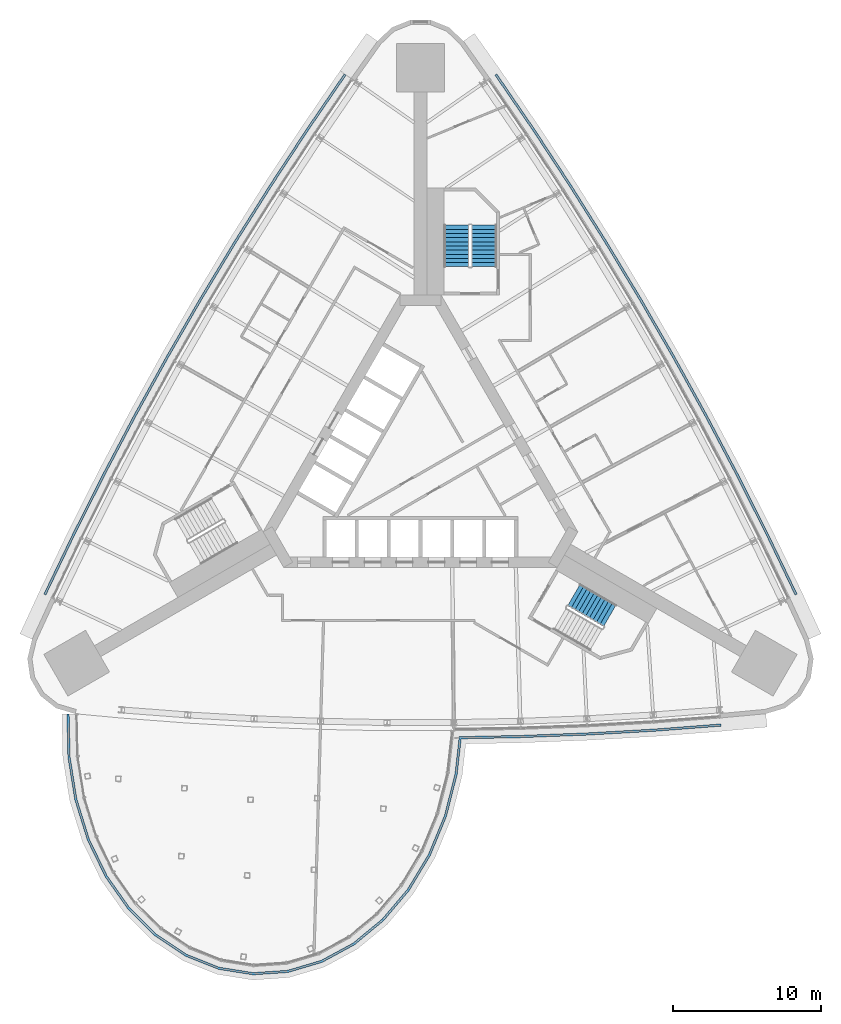
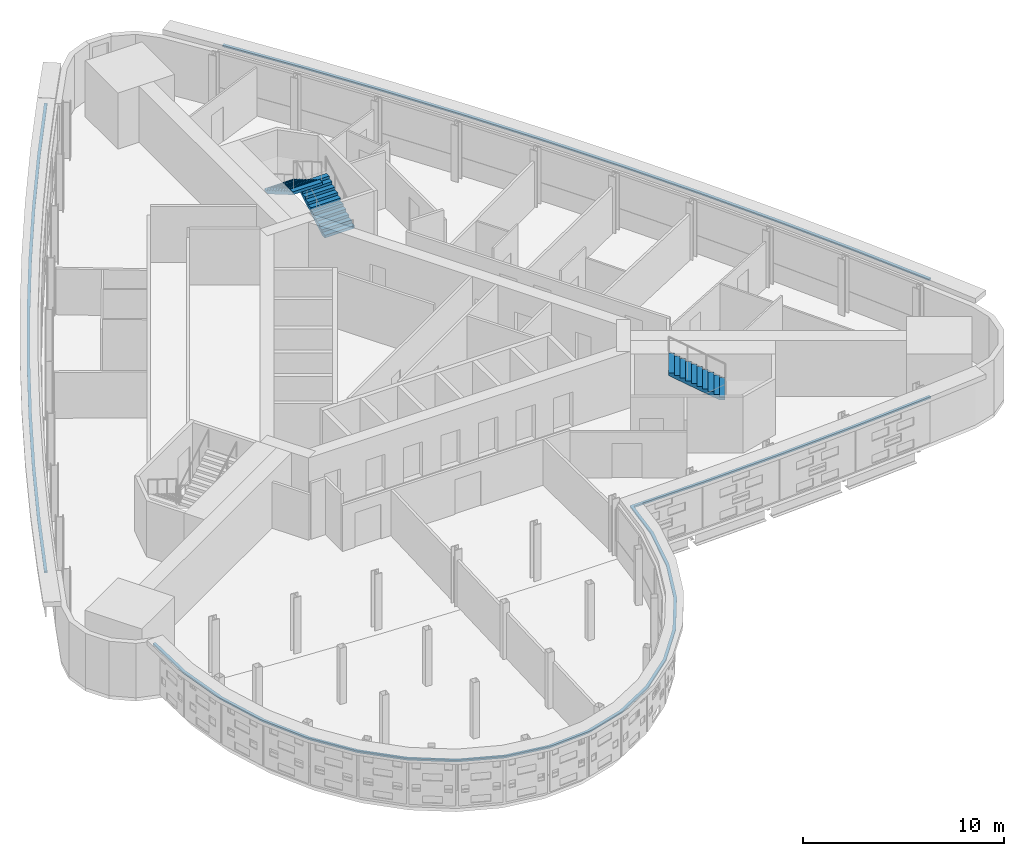
# One storey, part 12 of 15: 3 discrete accessories, 3 stair flights, 2 elements without a shape of their own.
"""IFC4 building model written with IfcOpenShell, lengths in metres."""

from ifc_helpers import new_model, si_unit, direction, frame, origin, place, context, subcontext, project, spatial, polyline, outline, extrude, material, type_object, element, aggregate, save


model = new_model("IFC4")

# Units and contexts
model_context = context("Model", 3, precision=1e-05, world=origin(), true_north=direction((0.0, 1.0)))
body_context = subcontext(model_context, "Body", "Model", "MODEL_VIEW")
ifc_project = project(units=[si_unit("LENGTHUNIT", "METRE"), si_unit("AREAUNIT", "SQUARE_METRE"), si_unit("VOLUMEUNIT", "CUBIC_METRE"), si_unit("PLANEANGLEUNIT", "RADIAN"), si_unit("MASSUNIT", "GRAM", prefix="KILO")], contexts=[model_context])

# Site, building, storey
site_placement = place(None, origin())
site = spatial("IfcSite", under=ifc_project, at=site_placement, CompositionType="ELEMENT")
building_placement = place(site_placement, origin())
building = spatial("IfcBuilding", under=site, at=building_placement, Name="Noor Cloister Tower", CompositionType="ELEMENT")
storey_placement = place(building_placement, frame((0.0, 0.0, 58.199951171875)))
storey = spatial("IfcBuildingStorey", under=building, at=storey_placement, Name="L14", CompositionType="ELEMENT", Elevation=58.199951171875)

# Stair, stair flights
ifc_material_1 = material(Name="Concrete C40/50", Category="concrete")
stair_type = type_object("IfcStairType", Name="Exit stair 22 risers", PredefinedType="HALF_TURN_STAIR", material=ifc_material_1)
stair_1_placement = place(storey_placement, origin())
stair_1 = element("IfcStair", 1, at=stair_1_placement, inside=storey, type_object=stair_type, Name="Exit stair ST1 L14", PredefinedType="HALF_TURN_STAIR")
ifc_material_2 = material(Name="Concrete C40/50", Category="concrete")
stair_flight_type = type_object("IfcStairFlightType", Name="Exit stair flight", PredefinedType="STRAIGHT", material=ifc_material_2)
stair_flight_1_placement = place(storey_placement, frame((4.28564453125, 13.3564453125, 0.0), z_axis=(0.0, 0.0, 1.0), x_axis=(0.0, 1.0, 0.0)))
stair_flight_1 = element("IfcStairFlight", 2, at=stair_flight_1_placement, type_object=stair_flight_type, Name="ST1 flight 1", NumberOfRisers=11, NumberOfTreads=10, PredefinedType="STRAIGHT", RiserHeight=0.163636364, TreadLength=0.28, context=body_context, shape_type="SweptSolid", body=[
    extrude(outline(polyline([(0.0, 0.0), (0.0, 0.16357421875), (0.280029296875, 0.16357421875), (0.280029296875, 0.327392578125), (0.56005859375, 0.327392578125), (0.56005859375, 0.490966796875), (0.840087890625, 0.490966796875), (0.840087890625, 0.654541015625), (1.1201171875, 0.654541015625), (1.1201171875, 0.818115234375), (1.39990234375, 0.818115234375), (1.39990234375, 0.98193359375), (1.679931640625, 0.98193359375), (1.679931640625, 1.1455078125), (1.9599609375, 1.1455078125), (1.9599609375, 1.30908203125), (2.239990234375, 1.30908203125), (2.239990234375, 1.47265625), (2.52001953125, 1.47265625), (2.52001953125, 1.636474609375), (2.800048828125, 1.636474609375), (2.800048828125, 1.800048828125), (2.800048828125, 1.462646484375), (0.297119140625, 0.0), (0.0, 0.0)])), frame((0.0, 0.85009765625, 0.0), z_axis=(0.0, -1.0, 0.0), x_axis=(1.0, 0.0, 0.0)), (0.0, 0.0, 1.0), 1.699951171875),
])
stair_flight_2_placement = place(storey_placement, frame((2.435546875, 16.156494140625, 1.800048828125), z_axis=(0.0, 0.0, 1.0), x_axis=(0.0, -1.0, 0.0)))
stair_flight_2 = element("IfcStairFlight", 3, at=stair_flight_2_placement, type_object=stair_flight_type, Name="ST1 flight 2", NumberOfRisers=11, NumberOfTreads=10, PredefinedType="STRAIGHT", RiserHeight=0.163636364, TreadLength=0.28, context=body_context, shape_type="SweptSolid", body=[
    extrude(outline(polyline([(0.0, 0.0), (0.0, 0.16357421875), (0.280029296875, 0.16357421875), (0.280029296875, 0.327392578125), (0.56005859375, 0.327392578125), (0.56005859375, 0.490966796875), (0.840087890625, 0.490966796875), (0.840087890625, 0.654541015625), (1.1201171875, 0.654541015625), (1.1201171875, 0.818115234375), (1.39990234375, 0.818115234375), (1.39990234375, 0.98193359375), (1.679931640625, 0.98193359375), (1.679931640625, 1.1455078125), (1.9599609375, 1.1455078125), (1.9599609375, 1.30908203125), (2.239990234375, 1.30908203125), (2.239990234375, 1.47265625), (2.52001953125, 1.47265625), (2.52001953125, 1.636474609375), (2.800048828125, 1.636474609375), (2.800048828125, 1.800048828125), (2.800048828125, 1.462646484375), (0.297119140625, 0.0), (0.0, 0.0)])), frame((0.0, 0.85009765625, 0.0), z_axis=(0.0, -1.0, 0.0), x_axis=(1.0, 0.0, 0.0)), (0.0, 0.0, 1.0), 1.699951171875),
])
aggregate(stair_1, [stair_flight_1, stair_flight_2])

# Stair, stair flight
stair_2_placement = place(storey_placement, origin())
stair_2 = element("IfcStair", 4, at=stair_2_placement, inside=storey, type_object=stair_type, Name="Exit stair ST3 L14", PredefinedType="HALF_TURN_STAIR")
stair_flight_3_placement = place(storey_placement, frame((12.77392578125, -10.1875, 1.800048828125), z_axis=(0.0, 0.0, 1.0), x_axis=(-0.866025403784, 0.5, 0.0)))
stair_flight_3 = element("IfcStairFlight", 5, at=stair_flight_3_placement, type_object=stair_flight_type, Name="ST3 flight 2", NumberOfRisers=11, NumberOfTreads=10, PredefinedType="STRAIGHT", RiserHeight=0.163636364, TreadLength=0.28, context=body_context, shape_type="SweptSolid", body=[
    extrude(outline(polyline([(0.0, 0.0), (0.0, 0.16357421875), (0.280029296875, 0.16357421875), (0.280029296875, 0.327392578125), (0.56005859375, 0.327392578125), (0.56005859375, 0.490966796875), (0.840087890625, 0.490966796875), (0.840087890625, 0.654541015625), (1.1201171875, 0.654541015625), (1.1201171875, 0.818115234375), (1.39990234375, 0.818115234375), (1.39990234375, 0.98193359375), (1.679931640625, 0.98193359375), (1.679931640625, 1.1455078125), (1.9599609375, 1.1455078125), (1.9599609375, 1.30908203125), (2.239990234375, 1.30908203125), (2.239990234375, 1.47265625), (2.52001953125, 1.47265625), (2.52001953125, 1.636474609375), (2.800048828125, 1.636474609375), (2.800048828125, 1.800048828125), (2.800048828125, 1.462646484375), (0.297119140625, 0.0), (0.0, 0.0)])), frame((0.0, 0.85009765625, 0.0), z_axis=(0.0, -1.0, 0.0), x_axis=(1.0, 0.0, 0.0)), (0.0, 0.0, 1.0), 1.699951171875),
])
aggregate(stair_2, [stair_flight_3])

# Discrete accessories
ifc_material_3 = material(Name="Stainless steel grade 316", Category="steel")
discrete_accessory_type = type_object("IfcDiscreteAccessoryType", Name="Stainless hanger rail", PredefinedType="BRACKET", material=ifc_material_3)
discrete_accessory_1_placement = place(storey_placement, frame((0.0, 0.0, 3.199951171875)))
element("IfcDiscreteAccessory", 6, at=discrete_accessory_1_placement, inside=storey, type_object=discrete_accessory_type, Name="Hanger rail L14", PredefinedType="BRACKET", context=body_context, shape_type="SweptSolid", body=[
    extrude(outline(polyline([(-5.14599609375, 26.374267578125), (-7.689697265625, 22.65576171875), (-10.1650390625, 18.885009765625), (-12.56787109375, 15.067626953125), (-14.8974609375, 11.205078125), (-17.152587890625, 7.298828125), (-19.3330078125, 3.35009765625), (-21.4375, -0.639404296875), (-23.46533203125, -4.66845703125), (-25.413818359375, -8.730712890625), (-25.26953125, -8.7998046875), (-23.32177734375, -4.739013671875), (-21.295166015625, -0.712646484375), (-19.192138671875, 3.274169921875), (-17.013427734375, 7.22021484375), (-14.759521484375, 11.123779296875), (-12.431640625, 14.98388671875), (-10.030517578125, 18.798583984375), (-7.556884765625, 22.56689453125), (-5.013916015625, 26.283935546875), (-5.14599609375, 26.374267578125)])), origin(), (0.0, 0.0, 1.0), 0.10009765625),
])
discrete_accessory_2_placement = place(storey_placement, frame((0.0, 0.0, 3.199951171875)))
element("IfcDiscreteAccessory", 7, at=discrete_accessory_2_placement, inside=storey, type_object=discrete_accessory_type, Name="Hanger rail L14", PredefinedType="BRACKET", context=body_context, shape_type="SweptSolid", body=[
    extrude(outline(polyline([(-23.857177734375, -16.813232421875), (-23.790283203125, -19.72265625), (-23.325927734375, -22.60107421875), (-22.47705078125, -25.32568359375), (-21.266845703125, -27.815185546875), (-19.728515625, -29.9951171875), (-17.904541015625, -31.7978515625), (-15.846923828125, -33.1650390625), (-13.617431640625, -34.04931640625), (-11.286865234375, -34.418701171875), (-8.9326171875, -34.259033203125), (-6.6328125, -33.577392578125), (-4.461181640625, -32.399658203125), (-2.4833984375, -30.76708984375), (-0.756591796875, -28.7333984375), (0.671142578125, -26.36181640625), (1.760009765625, -23.72412109375), (2.47998046875, -20.898681640625), (2.75146484375, -18.49462890625), (6.76513671875, -18.41796875), (11.2724609375, -18.24560546875), (15.775634765625, -17.987548828125), (20.267822265625, -17.6435546875), (20.255615234375, -17.484130859375), (15.764892578125, -17.827880859375), (11.264892578125, -18.0859375), (6.760498046875, -18.258056640625), (2.608154296875, -18.33740234375), (2.322265625, -20.869873046875), (1.60791015625, -23.673583984375), (0.52783203125, -26.289794921875), (-0.886962890625, -28.639892578125), (-2.59619140625, -30.65283203125), (-4.55126953125, -32.266357421875), (-6.6943359375, -33.4287109375), (-8.9609375, -34.1005859375), (-11.279541015625, -34.2578125), (-13.574951171875, -33.89404296875), (-15.7724609375, -33.0224609375), (-17.80322265625, -31.673095703125), (-19.60595703125, -29.891357421875), (-21.128662109375, -27.733642578125), (-22.327880859375, -25.266357421875), (-23.169677734375, -22.564453125), (-23.630615234375, -19.7080078125), (-23.697265625, -16.8095703125), (-23.857177734375, -16.813232421875)])), origin(), (0.0, 0.0, 1.0), 0.10009765625),
])
discrete_accessory_3_placement = place(storey_placement, frame((0.0, 0.0, 3.199951171875)))
element("IfcDiscreteAccessory", 8, at=discrete_accessory_3_placement, inside=storey, type_object=discrete_accessory_type, Name="Hanger rail L14", PredefinedType="BRACKET", context=body_context, shape_type="SweptSolid", body=[
    extrude(outline(polyline([(25.413818359375, -8.730712890625), (23.46533203125, -4.66845703125), (21.4375, -0.639404296875), (19.3330078125, 3.35009765625), (17.152587890625, 7.298828125), (14.8974609375, 11.205078125), (12.56787109375, 15.067626953125), (10.1650390625, 18.885009765625), (7.689697265625, 22.65576171875), (5.14599609375, 26.374267578125), (5.013916015625, 26.283935546875), (7.556884765625, 22.56689453125), (10.030517578125, 18.798583984375), (12.431640625, 14.98388671875), (14.759521484375, 11.123779296875), (17.013427734375, 7.22021484375), (19.192138671875, 3.274169921875), (21.295166015625, -0.712646484375), (23.32177734375, -4.739013671875), (25.26953125, -8.7998046875), (25.413818359375, -8.730712890625)])), origin(), (0.0, 0.0, 1.0), 0.10009765625),
])

save(model, "model.ifc")
